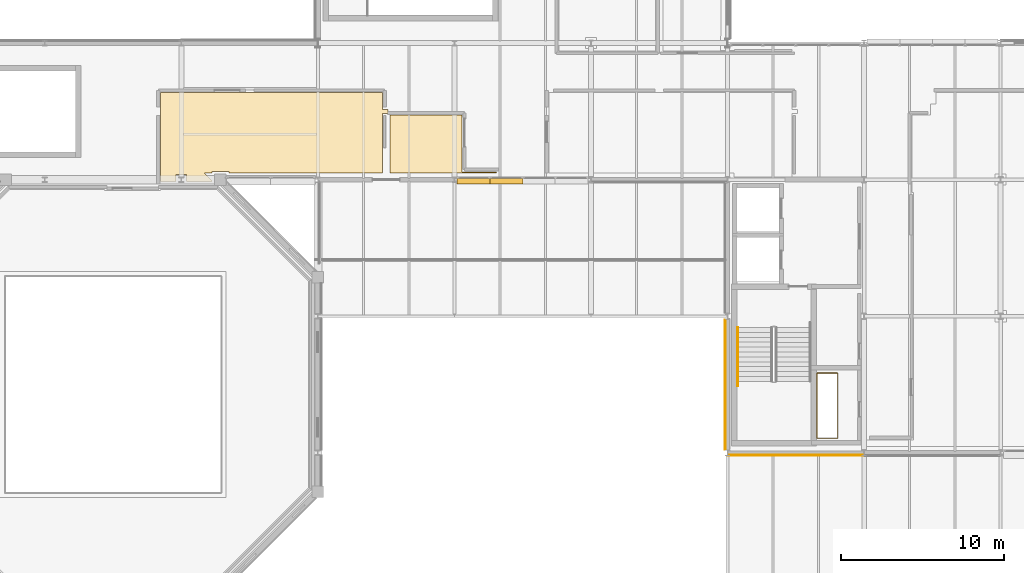
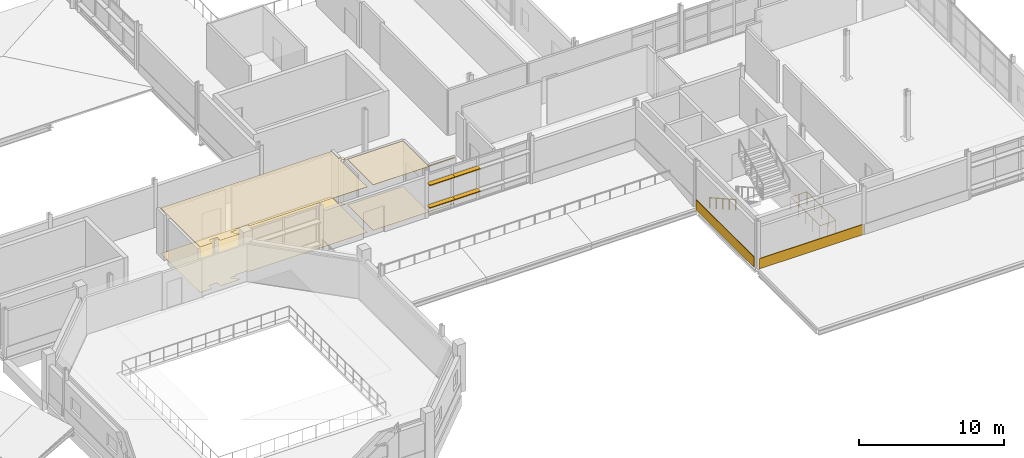
# One storey, part 134 of 151: 6 coverings, 4 shading devices, 2 railings.
"""IFC4 building model written with IfcOpenShell, lengths in metres."""

from ifc_helpers import new_model, si_unit, direction, frame, origin, origin_2d, place, context, subcontext, project, spatial, polyline, rectangle, circle, outline, extrude, material, layer, layer_set, type_object, element, save


model = new_model("IFC4")

# Units and contexts
model_context = context("Model", 3, precision=1e-05, world=origin(), true_north=direction((0.0, 1.0)))
body_context = subcontext(model_context, "Body", "Model", "MODEL_VIEW")
ifc_project = project(units=[si_unit("LENGTHUNIT", "METRE"), si_unit("AREAUNIT", "SQUARE_METRE"), si_unit("VOLUMEUNIT", "CUBIC_METRE"), si_unit("PLANEANGLEUNIT", "RADIAN"), si_unit("MASSUNIT", "GRAM", prefix="KILO")], contexts=[model_context])

# Site, building, storey
site_placement = place(None, origin())
site = spatial("IfcSite", under=ifc_project, at=site_placement, CompositionType="ELEMENT")
building_placement = place(site_placement, origin())
building = spatial("IfcBuilding", under=site, at=building_placement, Name="Mersafa Astral City Hall", CompositionType="ELEMENT")
storey_placement = place(building_placement, frame((0.0, 0.0, 9.89990234375)))
storey = spatial("IfcBuildingStorey", under=building, at=storey_placement, Name="L02", CompositionType="ELEMENT", Elevation=9.89990234375)

# Coverings
ifc_material_1 = material(Name="Cairo Mokattam buff limestone cladding", Category="masonry")
ifc_layer_1 = layer(ifc_material_1, 0.06005859375, Name="Cairo Mokattam buff limestone cladding")
ifc_layer_set_1 = layer_set([ifc_layer_1], Name="Cairo Mokattam buff limestone cladding — ENV-COV-LIMESTONE-60")
covering_type_1 = type_object("IfcCoveringType", Name="ENV-COV-LIMESTONE-60", PredefinedType="CLADDING", material=ifc_layer_set_1)
covering_1_placement = place(storey_placement, frame((117.452880859375, 12.594970703125, 0.0), z_axis=(0.0, 0.0, 1.0), x_axis=(0.0, -1.0, 0.0)))
element("IfcCovering", 1, at=covering_1_placement, inside=storey, type_object=covering_type_1, Name="L02 Cairo buff limestone rainscreen cladding 153", PredefinedType="CLADDING", context=body_context, shape_type="SweptSolid", body=[
    extrude(rectangle(XDim=7.998046875, YDim=0.06005859375, at=origin_2d()), origin(), (0.0, 0.0, 1.0), 0.860107421875),
])
covering_2_placement = place(storey_placement, frame((121.800048828125, 8.260498046875, 0.0), z_axis=(0.0, 0.0, 1.0), x_axis=(1.0, 0.0, 0.0)))
element("IfcCovering", 2, at=covering_2_placement, inside=storey, type_object=covering_type_1, Name="L02 Cairo buff limestone rainscreen cladding 154", PredefinedType="CLADDING", context=body_context, shape_type="SweptSolid", body=[
    extrude(rectangle(XDim=8.323974609375, YDim=0.06005859375, at=origin_2d()), origin(), (0.0, 0.0, 1.0), 0.860107421875),
])

# Shading devices
ifc_material_2 = material(Name="Kiln-dried cedar timber brise-soleil blade", Category="wood")
shading_device_type = type_object("IfcShadingDeviceType", Name="ENV-SHD-LOUVRE-380", PredefinedType="JALOUSIE", material=ifc_material_2)
shading_device_1_placement = place(storey_placement, frame((101.986572265625, 25.1201171875, 0.81494140625), z_axis=(0.0, 0.0, 1.0), x_axis=(1.0, 0.0, 0.0)))
element("IfcShadingDevice", 3, at=shading_device_1_placement, inside=storey, type_object=shading_device_type, Name="L02 Horizontal cedar brise-soleil louvre 666", PredefinedType="JALOUSIE", context=body_context, shape_type="SweptSolid", body=[
    extrude(rectangle(XDim=2.029052734375, YDim=0.3798828125, at=origin_2d()), origin(), (0.0, 0.0, 1.0), 0.070068359375),
])
shading_device_2_placement = place(storey_placement, frame((103.990478515625, 25.1201171875, 0.81494140625), z_axis=(0.0, 0.0, 1.0), x_axis=(1.0, 0.0, 0.0)))
element("IfcShadingDevice", 4, at=shading_device_2_placement, inside=storey, type_object=shading_device_type, Name="L02 Horizontal cedar brise-soleil louvre 667", PredefinedType="JALOUSIE", context=body_context, shape_type="SweptSolid", body=[
    extrude(rectangle(XDim=2.05908203125, YDim=0.3798828125, at=origin_2d()), origin(), (0.0, 0.0, 1.0), 0.070068359375),
])
shading_device_3_placement = place(storey_placement, frame((101.986572265625, 25.1201171875, 2.71484375), z_axis=(0.0, 0.0, 1.0), x_axis=(1.0, 0.0, 0.0)))
element("IfcShadingDevice", 5, at=shading_device_3_placement, inside=storey, type_object=shading_device_type, Name="L02 Horizontal cedar brise-soleil louvre 670", PredefinedType="JALOUSIE", context=body_context, shape_type="SweptSolid", body=[
    extrude(rectangle(XDim=2.029052734375, YDim=0.3798828125, at=origin_2d()), origin(), (0.0, 0.0, 1.0), 0.070068359375),
])
shading_device_4_placement = place(storey_placement, frame((103.990478515625, 25.1201171875, 2.71484375), z_axis=(0.0, 0.0, 1.0), x_axis=(1.0, 0.0, 0.0)))
element("IfcShadingDevice", 6, at=shading_device_4_placement, inside=storey, type_object=shading_device_type, Name="L02 Horizontal cedar brise-soleil louvre 671", PredefinedType="JALOUSIE", context=body_context, shape_type="SweptSolid", body=[
    extrude(rectangle(XDim=2.05908203125, YDim=0.3798828125, at=origin_2d()), origin(), (0.0, 0.0, 1.0), 0.070068359375),
])

# Railings
ifc_material_3 = material(Name="Painted architectural steel stair guard balustrade", Category="steel")
railing_type_1 = type_object("IfcRailingType", Name="GUARD-RAIL", PredefinedType="BALUSTRADE", material=ifc_material_3)
railing_1_placement = place(storey_placement, frame((123.10009765625, 9.300048828125, 0.0)))
element("IfcRailing", 7, at=railing_1_placement, inside=storey, type_object=railing_type_1, Name="L02 K5 MEP Riser Shaft Guard", PredefinedType="BALUSTRADE", context=body_context, shape_type="SweptSolid", body=[
    extrude(circle(Radius=0.02392578125, at=origin_2d()), frame((0.0, 0.0, 1.09619140625), z_axis=(1.0, 0.0, 0.0), x_axis=(0.0, 1.0, 0.0)), (0.0, 0.0, 1.0), 1.27978515625),
    extrude(circle(Radius=0.02392578125, at=origin_2d()), frame((1.27978515625, 0.0, 1.09619140625), z_axis=(0.0, 1.0, 0.0), x_axis=(-1.0, 0.0, 0.0)), (0.0, 0.0, 1.0), 4.0),
    extrude(circle(Radius=0.02392578125, at=origin_2d()), frame((1.27978515625, 4.0, 1.09619140625), z_axis=(-1.0, 0.0, 0.0), x_axis=(0.0, -1.0, 0.0)), (0.0, 0.0, 1.0), 1.27978515625),
    extrude(circle(Radius=0.02392578125, at=origin_2d()), frame((0.0, 4.0, 1.09619140625), z_axis=(0.0, -1.0, 0.0), x_axis=(1.0, 0.0, 0.0)), (0.0, 0.0, 1.0), 4.0),
    extrude(circle(Radius=0.02099609375, at=origin_2d()), origin(), (0.0, 0.0, 1.0), 1.072021484375),
    extrude(circle(Radius=0.02099609375, at=origin_2d()), frame((0.639892578125, 0.0, 0.0)), (0.0, 0.0, 1.0), 1.072021484375),
    extrude(circle(Radius=0.02099609375, at=origin_2d()), frame((1.27978515625, 0.0, 0.0)), (0.0, 0.0, 1.0), 1.072021484375),
    extrude(circle(Radius=0.02099609375, at=origin_2d()), frame((1.27978515625, 1.0, 0.0)), (0.0, 0.0, 1.0), 1.072021484375),
    extrude(circle(Radius=0.02099609375, at=origin_2d()), frame((1.27978515625, 2.0, 0.0)), (0.0, 0.0, 1.0), 1.072021484375),
    extrude(circle(Radius=0.02099609375, at=origin_2d()), frame((1.27978515625, 3.0, 0.0)), (0.0, 0.0, 1.0), 1.072021484375),
    extrude(circle(Radius=0.02099609375, at=origin_2d()), frame((1.27978515625, 4.0, 0.0)), (0.0, 0.0, 1.0), 1.072021484375),
    extrude(circle(Radius=0.02099609375, at=origin_2d()), frame((0.639892578125, 4.0, 0.0)), (0.0, 0.0, 1.0), 1.072021484375),
    extrude(circle(Radius=0.02099609375, at=origin_2d()), frame((0.0, 4.0, 0.0)), (0.0, 0.0, 1.0), 1.072021484375),
    extrude(circle(Radius=0.02099609375, at=origin_2d()), frame((0.0, 3.0, 0.0)), (0.0, 0.0, 1.0), 1.072021484375),
    extrude(circle(Radius=0.02099609375, at=origin_2d()), frame((0.0, 2.0, 0.0)), (0.0, 0.0, 1.0), 1.072021484375),
    extrude(circle(Radius=0.02099609375, at=origin_2d()), frame((0.0, 1.0, 0.0)), (0.0, 0.0, 1.0), 1.072021484375),
])
ifc_material_4 = material(Name="Brushed stainless steel tubular handrail", Category="steel")
railing_type_2 = type_object("IfcRailingType", Name="HANDRAIL", PredefinedType="HANDRAIL", material=ifc_material_4)
railing_2_placement = place(storey_placement, frame((118.22998046875, 16.10009765625, 0.1689453125)))
element("IfcRailing", 8, at=railing_2_placement, inside=storey, type_object=railing_type_2, Name="L02 ST5 stair handrail 1", PredefinedType="HANDRAIL", context=body_context, shape_type="SweptSolid", body=[
    extrude(circle(Radius=0.02392578125, at=origin_2d()), frame((0.0, 0.0, 0.8759765625), z_axis=(0.0, -0.871288196072, 0.4907717182), x_axis=(1.0, 0.0, 0.0)), (0.0, 0.0, 1.0), 4.1318359375),
    extrude(circle(Radius=0.02099609375, at=origin_2d()), origin(), (0.0, 0.0, 1.0), 0.851806640625),
    extrude(circle(Radius=0.02099609375, at=origin_2d()), frame((0.0, -0.89990234375, 0.5068359375)), (0.0, 0.0, 1.0), 0.851806640625),
    extrude(circle(Radius=0.02099609375, at=origin_2d()), frame((0.0, -1.800048828125, 1.013916015625)), (0.0, 0.0, 1.0), 0.851806640625),
    extrude(circle(Radius=0.02099609375, at=origin_2d()), frame((0.0, -2.7001953125, 1.52099609375)), (0.0, 0.0, 1.0), 0.851806640625),
    extrude(circle(Radius=0.02099609375, at=origin_2d()), frame((0.0, -3.60009765625, 2.02783203125)), (0.0, 0.0, 1.0), 0.851806640625),
])

# Coverings
ifc_material_5 = material(Name="Perforated acoustic gypsum board ceiling", Category="gypsum")
ifc_layer_2 = layer(ifc_material_5, 0.02490234375, Name="Perforated acoustic gypsum board ceiling")
ifc_layer_set_2 = layer_set([ifc_layer_2], Name="Perforated acoustic gypsum board ceiling — INT-COV-CEIL-25")
covering_type_2 = type_object("IfcCoveringType", Name="INT-COV-CEIL-25", PredefinedType="CEILING", material=ifc_layer_set_2)
covering_3_placement = place(storey_placement, frame((0.0, 0.0, 3.8310546875)))
element("IfcCovering", 9, at=covering_3_placement, inside=storey, type_object=covering_type_2, Name="L02 Hearing Room L02-31 acoustic ceiling", PredefinedType="CEILING", context=body_context, shape_type="SweptSolid", body=[
    extrude(outline(polyline([(82.719970703125, 25.090087890625), (82.719970703125, 30.56005859375), (96.3701171875, 30.56005859375), (96.3701171875, 29.52001953125), (96.719970703125, 29.52001953125), (96.719970703125, 29.280029296875), (96.3701171875, 29.280029296875), (96.3701171875, 25.60009765625), (92.39990234375, 25.60009765625), (86.919921875, 25.60009765625), (86.919921875, 25.719970703125), (85.8798828125, 25.719970703125), (85.8798828125, 25.60009765625), (85.434326171875, 25.60009765625), (85.8798828125, 25.154296875), (85.8798828125, 25.090087890625), (84.320068359375, 25.090087890625), (84.320068359375, 25.52001953125), (83.679931640625, 25.52001953125), (83.679931640625, 25.090087890625), (82.719970703125, 25.090087890625)])), origin(), (0.0, 0.0, 1.0), 0.025146484375),
])
covering_4_placement = place(storey_placement, frame((0.0, 0.0, 3.8310546875)))
element("IfcCovering", 10, at=covering_4_placement, inside=storey, type_object=covering_type_2, Name="L02 Library Stack L02-32 acoustic ceiling", PredefinedType="CEILING", context=body_context, shape_type="SweptSolid", body=[
    extrude(outline(polyline([(103.3798828125, 25.60009765625), (96.830078125, 25.60009765625), (96.830078125, 29.169921875), (101.280029296875, 29.169921875), (101.280029296875, 25.679931640625), (103.3798828125, 25.679931640625), (103.3798828125, 25.60009765625)])), origin(), (0.0, 0.0, 1.0), 0.025146484375),
])
ifc_material_6 = material(Name="Heavy-duty woven acoustic carpet tile", Category="finish")
ifc_layer_3 = layer(ifc_material_6, 0.014892578125, Name="Heavy-duty woven acoustic carpet tile")
ifc_layer_set_3 = layer_set([ifc_layer_3], Name="Heavy-duty woven acoustic carpet tile — INT-COV-FLR-15")
covering_type_3 = type_object("IfcCoveringType", Name="INT-COV-FLR-15", PredefinedType="FLOORING", material=ifc_layer_set_3)
covering_5_placement = place(storey_placement, frame((0.0, 0.0, -0.00146484375)))
element("IfcCovering", 11, at=covering_5_placement, inside=storey, type_object=covering_type_3, Name="L02 Hearing Room L02-31 architectural flooring", PredefinedType="FLOORING", context=body_context, shape_type="SweptSolid", body=[
    extrude(outline(polyline([(82.719970703125, 25.090087890625), (82.719970703125, 30.56005859375), (96.3701171875, 30.56005859375), (96.3701171875, 29.52001953125), (96.719970703125, 29.52001953125), (96.719970703125, 29.280029296875), (96.3701171875, 29.280029296875), (96.3701171875, 25.60009765625), (92.39990234375, 25.60009765625), (86.919921875, 25.60009765625), (86.919921875, 25.719970703125), (85.8798828125, 25.719970703125), (85.8798828125, 25.60009765625), (85.434326171875, 25.60009765625), (85.8798828125, 25.154296875), (85.8798828125, 25.090087890625), (84.320068359375, 25.090087890625), (84.320068359375, 25.52001953125), (83.679931640625, 25.52001953125), (83.679931640625, 25.090087890625), (82.719970703125, 25.090087890625)])), origin(), (0.0, 0.0, 1.0), 0.014892578125),
])
covering_6_placement = place(storey_placement, frame((0.0, 0.0, -0.00146484375)))
element("IfcCovering", 12, at=covering_6_placement, inside=storey, type_object=covering_type_3, Name="L02 Library Stack L02-32 architectural flooring", PredefinedType="FLOORING", context=body_context, shape_type="SweptSolid", body=[
    extrude(outline(polyline([(103.3798828125, 25.60009765625), (96.830078125, 25.60009765625), (96.830078125, 29.169921875), (101.280029296875, 29.169921875), (101.280029296875, 25.679931640625), (103.3798828125, 25.679931640625), (103.3798828125, 25.60009765625)])), origin(), (0.0, 0.0, 1.0), 0.014892578125),
])

save(model, "model.ifc")
